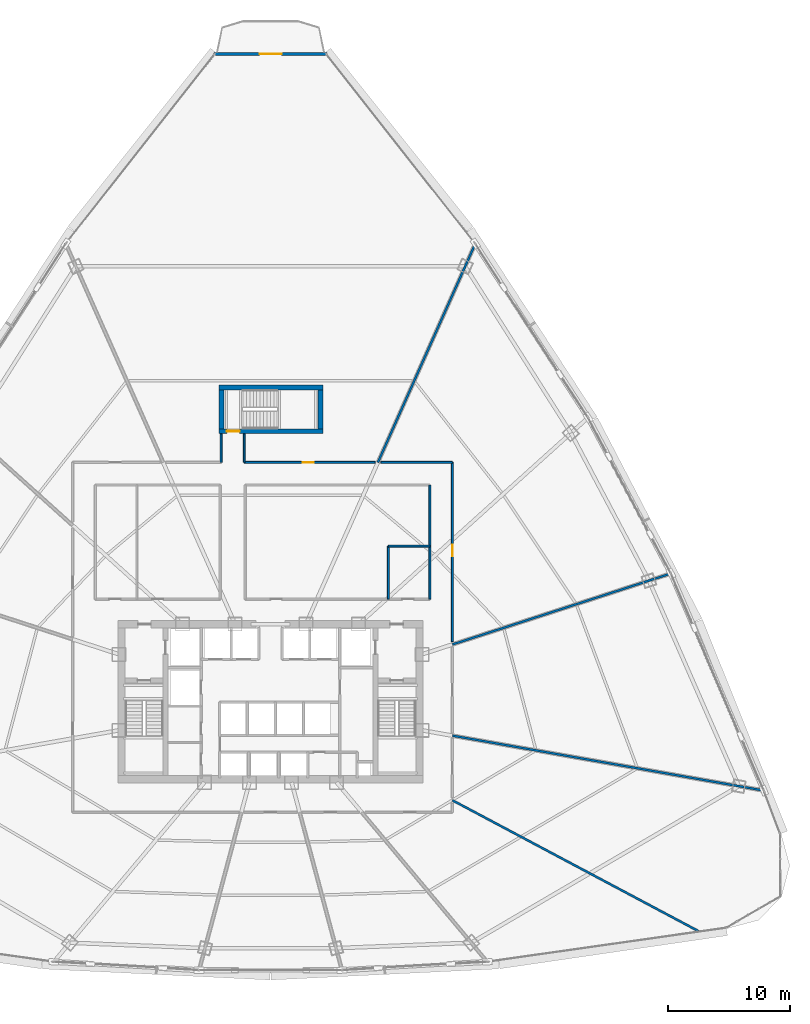
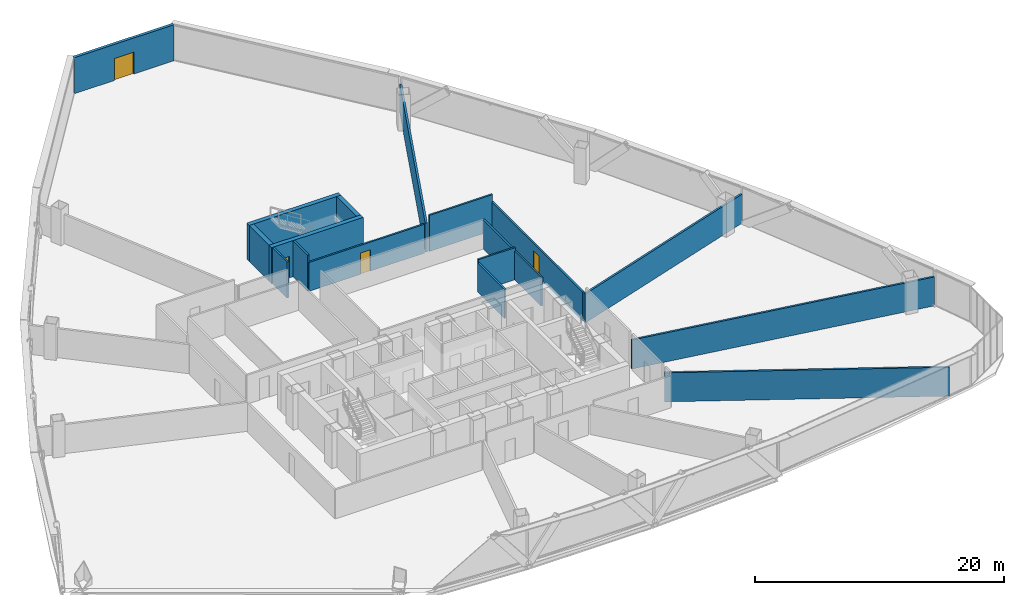
# One storey, part 34 of 39: 17 walls, 4 doors, 4 openings.
"""IFC4 building model written with IfcOpenShell, lengths in metres."""

from ifc_helpers import new_model, si_unit, direction, frame, frame_2d, origin, origin_with_axes, place, context, subcontext, project, spatial, rectangle, extrude, source, transform, mapped, material, layer, layer_set, type_object, element, fill, save


model = new_model("IFC4")

# Units and contexts
model_context = context("Model", 3, precision=1e-05, world=origin(), true_north=direction((0.0, 1.0)))
body_context = subcontext(model_context, "Body", "Model", "MODEL_VIEW")
ifc_project = project(units=[si_unit("LENGTHUNIT", "METRE"), si_unit("AREAUNIT", "SQUARE_METRE"), si_unit("VOLUMEUNIT", "CUBIC_METRE"), si_unit("PLANEANGLEUNIT", "RADIAN"), si_unit("MASSUNIT", "GRAM", prefix="KILO"), si_unit("THERMODYNAMICTEMPERATUREUNIT", "KELVIN"), si_unit("POWERUNIT", "WATT")], contexts=[model_context])

# Site, building, storey
site_placement = place(None, origin())
site = spatial("IfcSite", under=ifc_project, at=site_placement, CompositionType="ELEMENT")
building_placement = place(site_placement, origin())
building = spatial("IfcBuilding", under=site, at=building_placement, Name="Yunzhuo Pagoda Commons", CompositionType="ELEMENT")
storey_placement = place(building_placement, frame((0.0, 0.0, 96.3798828125)))
storey = spatial("IfcBuildingStorey", under=building, at=storey_placement, Name="L24", CompositionType="ELEMENT", Elevation=96.3798828125)

# Wall, opening, door
ifc_material_1 = material(Name="Precast concrete C40", Category="concrete")
ifc_layer_1 = layer(ifc_material_1, 0.260009765625)
ifc_layer_set_1 = layer_set([ifc_layer_1], Name="Precast concrete C40")
wall_type_1 = type_object("IfcWallType", Name="W-BAL1 Corner Balcony Threshold Wall 260", PredefinedType="STANDARD", material=ifc_layer_set_1)
wall_1_placement = place(storey_placement, frame((52.6123046875, 86.90478515625, 0.0), z_axis=(0.0, 0.0, 1.0), x_axis=(-1.0, 0.0, 0.0)))
wall_1 = element("IfcWall", 1, at=wall_1_placement, inside=storey, type_object=wall_type_1, Name="L24 corner balcony wall V3", PredefinedType="STANDARD", context=body_context, shape_type="SweptSolid", body=[
    extrude(rectangle(XDim=9.224609375, YDim=0.260009765625, at=frame_2d((4.6123046875, 0.0))), origin(), (0.0, 0.0, 1.0), 3.5400390625),
])
opening_1_placement = place(wall_1_placement, frame((3.71240234375, 0.0, 0.0)))
opening_1 = element("IfcOpeningElement", 2, at=opening_1_placement, cuts=wall_1, Name="Opening D-BAL1", PredefinedType="OPENING", context=body_context, shape_type="SweptSolid", body=[
    extrude(rectangle(XDim=1.800048828125, YDim=2.14990234375, at=frame_2d((0.89990234375, 1.074951171875))), frame((0.0, 0.14013671875, 0.0), z_axis=(0.0, -1.0, 0.0), x_axis=(1.0, 0.0, 0.0)), (0.0, 0.0, 1.0), 0.280029296875),
])
ifc_material_2 = material(Name="Anodized aluminium frame and tempered glazed leaf", Category="aluminium")
door_type_1 = type_object("IfcDoorType", Name="D-BAL1 Corner Balcony Sliding Glazed Door 1800x2150", OperationType="DOUBLE_DOOR_SLIDING", PredefinedType="DOOR", material=ifc_material_2)
shared_shape_1 = source(origin(), body_context, "Body", "SweptSolid", [
    extrude(rectangle(XDim=1.800048828125, YDim=2.14990234375, at=frame_2d((0.89990234375, 1.074951171875))), frame((0.0, 0.02490234375, 0.0), z_axis=(0.0, -1.0, 0.0), x_axis=(1.0, 0.0, 0.0)), (0.0, 0.0, 1.0), 0.050048828125),
])
door_1_placement = place(opening_1_placement, origin_with_axes())
door_1 = element("IfcDoor", 3, at=door_1_placement, inside=storey, type_object=door_type_1, Name="L24 corner balcony sliding door V3", OperationType="DOUBLE_DOOR_SLIDING", OverallHeight=2.14990234375, OverallWidth=1.800048828125, PredefinedType="DOOR", context=body_context, shape_type="MappedRepresentation", body=[
    mapped(shared_shape_1, transform((0.0, 0.0, 0.0), scale=1.0)),
])
fill(opening_1, door_1)

# Walls
ifc_material_3 = material(Name="Gypsum plasterboard on acoustic stud")
ifc_layer_2 = layer(ifc_material_3, 0.159912109375)
ifc_layer_set_2 = layer_set([ifc_layer_2], Name="Gypsum plasterboard on acoustic stud")
wall_type_2 = type_object("IfcWallType", Name="W-COR1 Tower Rated Corridor Wall 160", PredefinedType="PARTITIONING", material=ifc_layer_set_2)
wall_2_placement = place(storey_placement, frame((61.050048828125, 42.25, 0.0), z_axis=(0.0, 0.0, 1.0), x_axis=(0.0, 1.0, 0.0)))
element("IfcWall", 4, at=wall_2_placement, inside=storey, type_object=wall_type_2, Name="L24 interior wall IW-L24-ISLEE", PredefinedType="PARTITIONING", context=body_context, shape_type="SweptSolid", body=[
    extrude(rectangle(XDim=9.35009765625, YDim=0.159912109375, at=frame_2d((4.675048828125, 0.0))), origin(), (0.0, 0.0, 1.0), 2.840087890625),
])
wall_3_placement = place(storey_placement, frame((57.64990234375, 42.25, 0.0), z_axis=(0.0, 0.0, 1.0), x_axis=(0.0, 1.0, 0.0)))
element("IfcWall", 5, at=wall_3_placement, inside=storey, type_object=wall_type_2, Name="L24 interior wall IW-L24-ISL2W", PredefinedType="PARTITIONING", context=body_context, shape_type="SweptSolid", body=[
    extrude(rectangle(XDim=4.35009765625, YDim=0.159912109375, at=frame_2d((2.175048828125, 0.0))), origin(), (0.0, 0.0, 1.0), 2.840087890625),
])
wall_4_placement = place(storey_placement, frame((57.64990234375, 46.60009765625, 0.0), z_axis=(0.0, 0.0, 1.0), x_axis=(1.0, 0.0, 0.0)))
element("IfcWall", 6, at=wall_4_placement, inside=storey, type_object=wall_type_2, Name="L24 interior wall IW-L24-ISL2N", PredefinedType="PARTITIONING", context=body_context, shape_type="SweptSolid", body=[
    extrude(rectangle(XDim=3.400146484375, YDim=0.159912109375, at=frame_2d((1.7001953125, 0.0))), origin(), (0.0, 0.0, 1.0), 3.14013671875),
])
for number, where, z_axis, x_axis, name in (
    (7, (43.949951171875, 53.449951171875, 0.0), (0.0, 0.0, 1.0), (0.0, 1.0, 0.0), "L24 interior wall IW-L24-CWL06"),
    (8, (45.85009765625, 55.780029296875, 0.0), (0.0, 0.0, 1.0), (0.0, -1.0, 0.0), "L24 interior wall IW-L24-CWL07"),
):
    element("IfcWall", number, at=place(storey_placement, frame(where, z_axis=z_axis, x_axis=x_axis)), inside=storey, type_object=wall_type_2, Name=name, PredefinedType="PARTITIONING", context=body_context, shape_type="SweptSolid", body=[
        extrude(rectangle(XDim=2.330078125, YDim=0.159912109375, at=frame_2d((1.1650390625, 0.0))), origin(), (0.0, 0.0, 1.0), 3.5400390625),
    ])

# Wall, opening, door
wall_5_placement = place(storey_placement, frame((45.85009765625, 53.449951171875, 0.0), z_axis=(0.0, 0.0, 1.0), x_axis=(1.0, 0.0, 0.0)))
wall_5 = element("IfcWall", 9, at=wall_5_placement, inside=storey, type_object=wall_type_2, Name="L24 interior wall IW-L24-CWL08", PredefinedType="PARTITIONING", context=body_context, shape_type="SweptSolid", body=[
    extrude(rectangle(XDim=10.723388671875, YDim=0.159912109375, at=frame_2d((5.36181640625, 0.0))), origin(), (0.0, 0.0, 1.0), 2.840087890625),
])
opening_2_placement = place(wall_5_placement, frame((4.781494140625, 0.0, 0.0)))
opening_2 = element("IfcOpeningElement", 10, at=opening_2_placement, cuts=wall_5, Name="Opening D-04", PredefinedType="OPENING", context=body_context, shape_type="SweptSolid", body=[
    extrude(rectangle(XDim=0.919921875, YDim=2.10009765625, at=frame_2d((0.4599609375, 1.050048828125))), frame((0.0, 0.08984375, 0.0), z_axis=(0.0, -1.0, 0.0), x_axis=(1.0, 0.0, 0.0)), (0.0, 0.0, 1.0), 0.179931640625),
])
ifc_material_4 = material(Name="Powder-coated aluminium and timber acoustic leaf", Category="wood")
door_type_2 = type_object("IfcDoorType", Name="D-04 Bedroom & Study Interior Door 920x2100", OperationType="NOTDEFINED", PredefinedType="DOOR", material=ifc_material_4)
shared_shape_2 = source(origin(), body_context, "Body", "SweptSolid", [
    extrude(rectangle(XDim=0.919921875, YDim=2.10009765625, at=frame_2d((0.4599609375, 1.050048828125))), frame((0.0, 0.02490234375, 0.0), z_axis=(0.0, -1.0, 0.0), x_axis=(1.0, 0.0, 0.0)), (0.0, 0.0, 1.0), 0.050048828125),
])
door_2_placement = place(opening_2_placement, origin_with_axes())
door_2 = element("IfcDoor", 11, at=door_2_placement, inside=storey, type_object=door_type_2, Name="L24 seminar room 03 door", OperationType="SINGLE_SWING_RIGHT", OverallHeight=2.10009765625, OverallWidth=0.919921875, PredefinedType="DOOR", context=body_context, shape_type="MappedRepresentation", body=[
    mapped(shared_shape_2, transform((0.0, 0.0, 0.0), scale=1.0)),
])
fill(opening_2, door_2)

# Wall
wall_6_placement = place(storey_placement, frame((57.0341796875, 53.449951171875, 0.0), z_axis=(0.0, 0.0, 1.0), x_axis=(1.0, 0.0, 0.0)))
element("IfcWall", 12, at=wall_6_placement, inside=storey, type_object=wall_type_2, Name="L24 interior wall IW-L24-CWL09", PredefinedType="PARTITIONING", context=body_context, shape_type="SweptSolid", body=[
    extrude(rectangle(XDim=5.86572265625, YDim=0.159912109375, at=frame_2d((2.932861328125, 0.0))), origin(), (0.0, 0.0, 1.0), 3.5400390625),
])

# Wall, opening, door
wall_7_placement = place(storey_placement, frame((62.89990234375, 53.449951171875, 0.0), z_axis=(0.0, 0.0, 1.0), x_axis=(0.0, -1.0, 0.0)))
wall_7 = element("IfcWall", 13, at=wall_7_placement, inside=storey, type_object=wall_type_2, Name="L24 interior wall IW-L24-CWL10", PredefinedType="PARTITIONING", context=body_context, shape_type="SweptSolid", body=[
    extrude(rectangle(XDim=14.67724609375, YDim=0.159912109375, at=frame_2d((7.338623046875, 0.0))), origin(), (0.0, 0.0, 1.0), 2.840087890625),
])
opening_3_placement = place(wall_7_placement, frame((6.74951171875, 0.0, 0.0)))
opening_3 = element("IfcOpeningElement", 14, at=opening_3_placement, cuts=wall_7, Name="Opening D-06", PredefinedType="OPENING", context=body_context, shape_type="SweptSolid", body=[
    extrude(rectangle(XDim=0.949951171875, YDim=2.10009765625, at=frame_2d((0.47509765625, 1.050048828125))), frame((0.0, 0.08984375, 0.0), z_axis=(0.0, -1.0, 0.0), x_axis=(1.0, 0.0, 0.0)), (0.0, 0.0, 1.0), 0.179931640625),
])
ifc_material_5 = material(Name="Galvanized fire-resisting metal leaf")
door_type_3 = type_object("IfcDoorType", Name="D-06 Co-Living Suite Entrance Fire Door 950x2100", OperationType="NOTDEFINED", PredefinedType="DOOR", material=ifc_material_5)
shared_shape_3 = source(origin(), body_context, "Body", "SweptSolid", [
    extrude(rectangle(XDim=0.949951171875, YDim=2.10009765625, at=frame_2d((0.47509765625, 1.050048828125))), frame((0.0, 0.02490234375, 0.0), z_axis=(0.0, -1.0, 0.0), x_axis=(1.0, 0.0, 0.0)), (0.0, 0.0, 1.0), 0.050048828125),
])
door_3_placement = place(opening_3_placement, origin_with_axes())
door_3 = element("IfcDoor", 15, at=door_3_placement, inside=storey, type_object=door_type_3, Name="L24 Shared Resident Kitchen and Pantry door", OperationType="SINGLE_SWING_LEFT", OverallHeight=2.10009765625, OverallWidth=0.949951171875, PredefinedType="DOOR", context=body_context, shape_type="MappedRepresentation", body=[
    mapped(shared_shape_3, transform((0.0, 0.0, 0.0), scale=1.0)),
])
fill(opening_3, door_3)

# Walls
ifc_layer_3 = layer(ifc_material_3, 0.179931640625)
ifc_layer_set_3 = layer_set([ifc_layer_3], Name="Gypsum plasterboard on acoustic stud")
wall_type_3 = type_object("IfcWallType", Name="W-PRT2 Acoustic Unit Demising Wall 180", PredefinedType="PARTITIONING", material=ifc_layer_set_3)
wall_8_placement = place(storey_placement, frame((62.89990234375, 38.541259765625, 0.0), z_axis=(0.0, 0.0, 1.0), x_axis=(0.951056186137, 0.309018010496, 0.0)))
element("IfcWall", 16, at=wall_8_placement, inside=storey, type_object=wall_type_3, Name="L24 interior wall IW-L24-RAD01", PredefinedType="PARTITIONING", context=body_context, shape_type="SweptSolid", body=[
    extrude(rectangle(XDim=18.8173828125, YDim=0.179931640625, at=frame_2d((9.40869140625, 0.0))), origin(), (0.0, 0.0, 1.0), 2.840087890625),
])
wall_9_placement = place(storey_placement, frame((56.793212890625, 53.449951171875, 0.0), z_axis=(0.0, 0.0, 1.0), x_axis=(0.406741294252, 0.913543386791, 0.0)))
element("IfcWall", 17, at=wall_9_placement, inside=storey, type_object=wall_type_3, Name="L24 interior wall IW-L24-RAD02", PredefinedType="PARTITIONING", context=body_context, shape_type="SweptSolid", body=[
    extrude(rectangle(XDim=19.612060546875, YDim=0.179931640625, at=frame_2d((9.80615234375, 0.0))), origin(), (0.0, 0.0, 1.0), 2.840087890625),
])
wall_10_placement = place(storey_placement, frame((62.89990234375, 25.777587890625, 0.0), z_axis=(0.0, 0.0, 1.0), x_axis=(0.882949939944, -0.469467148533, 0.0)))
element("IfcWall", 18, at=wall_10_placement, inside=storey, type_object=wall_type_3, Name="L24 interior wall IW-L24-RAD09", PredefinedType="PARTITIONING", context=body_context, shape_type="SweptSolid", body=[
    extrude(rectangle(XDim=22.90771484375, YDim=0.179931640625, at=frame_2d((11.453857421875, 0.0))), origin(), (0.0, 0.0, 1.0), 2.840087890625),
])
wall_11_placement = place(storey_placement, frame((62.89990234375, 31.07275390625, 0.0), z_axis=(0.0, 0.0, 1.0), x_axis=(0.984807465584, -0.173649807743, 0.0)))
element("IfcWall", 19, at=wall_11_placement, inside=storey, type_object=wall_type_3, Name="L24 interior wall IW-L24-RAD10", PredefinedType="PARTITIONING", context=body_context, shape_type="SweptSolid", body=[
    extrude(rectangle(XDim=25.8974609375, YDim=0.179931640625, at=frame_2d((12.94873046875, 0.0))), origin(), (0.0, 0.0, 1.0), 2.840087890625),
])
ifc_material_6 = material(Name="Concrete C60", Category="concrete")
ifc_layer_4 = layer(ifc_material_6, 0.39990234375)
ifc_layer_set_4 = layer_set([ifc_layer_4], Name="Concrete C60")
wall_type_4 = type_object("IfcWallType", Name="W-S01 Internal Core Shear Web 400", PredefinedType="SHEAR", material=ifc_layer_set_4)
wall_12_placement = place(storey_placement, frame((43.800048828125, 59.60009765625, 0.0), z_axis=(0.0, 0.0, 1.0), x_axis=(1.0, 0.0, 0.0)))
element("IfcWall", 20, at=wall_12_placement, inside=storey, type_object=wall_type_4, Name="L24 ST3 structural stair wall N", PredefinedType="SHEAR", context=body_context, shape_type="SweptSolid", body=[
    extrude(rectangle(XDim=8.5, YDim=0.39990234375, at=frame_2d((4.25, 0.0))), origin(), (0.0, 0.0, 1.0), 3.5400390625),
])

# Wall, opening, door
wall_13_placement = place(storey_placement, frame((43.800048828125, 56.0, 0.0), z_axis=(0.0, 0.0, 1.0), x_axis=(1.0, 0.0, 0.0)))
wall_13 = element("IfcWall", 21, at=wall_13_placement, inside=storey, type_object=wall_type_4, Name="L24 ST3 structural stair wall S", PredefinedType="SHEAR", context=body_context, shape_type="SweptSolid", body=[
    extrude(rectangle(XDim=8.5, YDim=0.39990234375, at=frame_2d((4.25, 0.0))), origin(), (0.0, 0.0, 1.0), 3.5400390625),
])
opening_4_placement = place(wall_13_placement, frame((0.6201171875, 0.0, 0.0)))
opening_4 = element("IfcOpeningElement", 22, at=opening_4_placement, cuts=wall_13, Name="Opening D-01", PredefinedType="OPENING", context=body_context, shape_type="SweptSolid", body=[
    extrude(rectangle(XDim=1.050048828125, YDim=2.10009765625, at=frame_2d((0.52490234375, 1.050048828125))), frame((0.0, 0.2099609375, 0.0), z_axis=(0.0, -1.0, 0.0), x_axis=(1.0, 0.0, 0.0)), (0.0, 0.0, 1.0), 0.419921875),
])
door_type_4 = type_object("IfcDoorType", Name="D-01 Smokeproof Stair Fire Door 1050x2100", OperationType="NOTDEFINED", PredefinedType="DOOR", material=ifc_material_5)
shared_shape_4 = source(origin(), body_context, "Body", "SweptSolid", [
    extrude(rectangle(XDim=1.050048828125, YDim=2.10009765625, at=frame_2d((0.52490234375, 1.050048828125))), frame((0.0, 0.02490234375, 0.0), z_axis=(0.0, -1.0, 0.0), x_axis=(1.0, 0.0, 0.0)), (0.0, 0.0, 1.0), 0.050048828125),
])
door_4_placement = place(opening_4_placement, frame((1.050048828125, 0.0, 0.0), z_axis=(0.0, 0.0, 1.0), x_axis=(-1.0, 0.0, 0.0)))
door_4 = element("IfcDoor", 23, at=door_4_placement, inside=storey, type_object=door_type_4, Name="L24 Stair ST3 fire door", OperationType="SINGLE_SWING_LEFT", OverallHeight=2.10009765625, OverallWidth=1.050048828125, PredefinedType="DOOR", context=body_context, shape_type="MappedRepresentation", body=[
    mapped(shared_shape_4, transform((0.0, 0.0, 0.0), scale=1.0)),
])
fill(opening_4, door_4)

# Walls
for number, where, z_axis, x_axis, name in (
    (24, (44.0, 56.199951171875, 0.0), (0.0, 0.0, 1.0), (0.0, 1.0, 0.0), "L24 ST3 structural stair wall W"),
    (25, (52.10009765625, 56.199951171875, 0.0), (0.0, 0.0, 1.0), (0.0, 1.0, 0.0), "L24 ST3 structural stair wall E"),
):
    element("IfcWall", number, at=place(storey_placement, frame(where, z_axis=z_axis, x_axis=x_axis)), inside=storey, type_object=wall_type_4, Name=name, PredefinedType="SHEAR", context=body_context, shape_type="SweptSolid", body=[
        extrude(rectangle(XDim=3.199951171875, YDim=0.39990234375, at=frame_2d((1.60009765625, 0.0))), origin(), (0.0, 0.0, 1.0), 3.5400390625),
    ])

save(model, "model.ifc")
